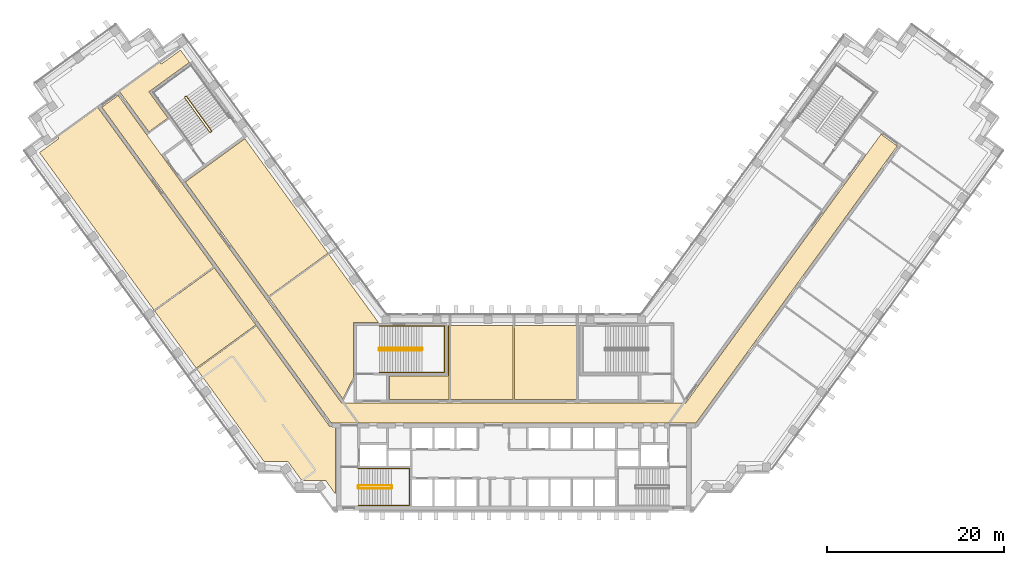
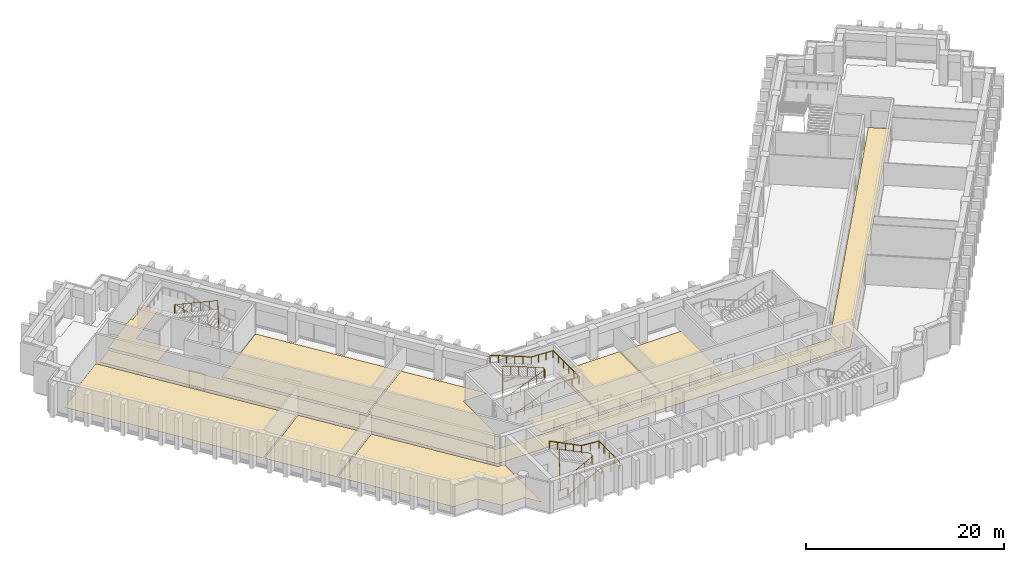
# One storey, part 11 of 13: 10 coverings, 5 railings.
"""IFC4 building model written with IfcOpenShell, lengths in metres."""

from ifc_helpers import new_model, si_unit, direction, frame, origin, origin_2d, place, context, subcontext, project, spatial, polyline, circle, outline, extrude, material, layer, layer_set, type_object, element, save


model = new_model("IFC4")

# Units and contexts
model_context = context("Model", 3, precision=1e-05, world=origin(), true_north=direction((0.0, 1.0)))
body_context = subcontext(model_context, "Body", "Model", "MODEL_VIEW")
ifc_project = project(units=[si_unit("LENGTHUNIT", "METRE"), si_unit("AREAUNIT", "SQUARE_METRE"), si_unit("VOLUMEUNIT", "CUBIC_METRE"), si_unit("PLANEANGLEUNIT", "RADIAN"), si_unit("MASSUNIT", "GRAM", prefix="KILO")], contexts=[model_context])

# Site, building, storey
site_placement = place(None, origin())
site = spatial("IfcSite", under=ifc_project, at=site_placement, CompositionType="ELEMENT")
building_placement = place(site_placement, origin())
building = spatial("IfcBuilding", under=site, at=building_placement, Name="Quipu Civic Tower", CompositionType="ELEMENT")
storey_placement = place(building_placement, frame((0.0, 0.0, 67.0)))
storey = spatial("IfcBuildingStorey", under=building, at=storey_placement, Name="L15", CompositionType="ELEMENT", Elevation=67.0)

# Coverings
ifc_material_1 = material(Name="Carpet tile on raised access floor")
ifc_layer_1 = layer(ifc_material_1, 0.02001953125)
ifc_layer_set_1 = layer_set([ifc_layer_1], Name="Carpet tile on raised access floor")
covering_type_1 = type_object("IfcCoveringType", Name="Carpet tile floor finish 20", PredefinedType="FLOORING", material=ifc_layer_set_1)
covering_1_placement = place(storey_placement, origin())
element("IfcCovering", 1, at=covering_1_placement, inside=storey, type_object=covering_type_1, Name="Carpet tile floor finish 20", PredefinedType="FLOORING", context=body_context, shape_type="SweptSolid", body=[
    extrude(outline(polyline([(0.070068359375, 9.830078125), (7.1279296875, 9.830078125), (7.1279296875, 1.52001953125), (0.070068359375, 1.52001953125), (0.070068359375, 9.830078125)])), origin(), (0.0, 0.0, 1.0), 0.02001953125),
])
covering_2_placement = place(storey_placement, origin())
element("IfcCovering", 2, at=covering_2_placement, inside=storey, type_object=covering_type_1, Name="Carpet tile floor finish 20", PredefinedType="FLOORING", context=body_context, shape_type="SweptSolid", body=[
    extrude(outline(polyline([(-44.445068359375, 36.23193359375), (-39.906005859375, 39.530029296875), (-39.757080078125, 39.327880859375), (-37.573974609375, 40.9130859375), (-36.570068359375, 39.530029296875), (-41.139892578125, 36.208984375), (-38.998046875, 33.260009765625), (-41.15087890625, 31.697021484375), (-44.445068359375, 36.23193359375)])), origin(), (0.0, 0.0, 1.0), 0.02001953125),
])
covering_3_placement = place(storey_placement, origin())
element("IfcCovering", 3, at=covering_3_placement, inside=storey, type_object=covering_type_1, Name="Carpet tile floor finish 20", PredefinedType="FLOORING", context=body_context, shape_type="SweptSolid", body=[
    extrude(outline(polyline([(-27.577880859375, 13.01708984375), (-20.85498046875, 17.90087890625), (-15.238037109375, 10.169921875), (-18.070068359375, 10.1689453125), (-18.070068359375, 3.94189453125), (-19.27197265625, 1.583984375), (-27.577880859375, 13.01708984375)])), origin(), (0.0, 0.0, 1.0), 0.02001953125),
])
covering_4_placement = place(storey_placement, origin())
element("IfcCovering", 4, at=covering_4_placement, inside=storey, type_object=covering_type_1, Name="Carpet tile floor finish 20", PredefinedType="FLOORING", context=body_context, shape_type="SweptSolid", body=[
    extrude(outline(polyline([(-35.72607421875, 4.922119140625), (-29.0029296875, 9.805908203125), (-20.77490234375, -1.51904296875), (-20.070068359375, -1.52001953125), (-20.070068359375, -9.195068359375), (-21.196044921875, -7.64599609375), (-21.6630859375, -7.64599609375), (-21.666015625, -7.64404296875), (-21.669921875, -7.64111328125), (-21.675048828125, -7.639892578125), (-21.679931640625, -7.637939453125), (-21.68408203125, -7.636962890625), (-21.68896484375, -7.636962890625), (-21.694091796875, -7.635986328125), (-21.698974609375, -7.636962890625), (-21.7041015625, -7.637939453125), (-21.708984375, -7.638916015625), (-21.712890625, -7.64111328125), (-21.718017578125, -7.64306640625), (-21.721923828125, -7.64599609375), (-21.721923828125, -7.64599609375), (-23.89501953125, -7.64599609375), (-25.48193359375, -5.4619140625), (-28.181884765625, -5.4609375), (-35.72607421875, 4.922119140625)])), origin(), (0.0, 0.0, 1.0), 0.02001953125),
])
covering_5_placement = place(storey_placement, origin())
element("IfcCovering", 5, at=covering_5_placement, inside=storey, type_object=covering_type_1, Name="Carpet tile floor finish 20", PredefinedType="FLOORING", context=body_context, shape_type="SweptSolid", body=[
    extrude(outline(polyline([(-37.0380859375, 26.0380859375), (-30.31494140625, 30.922119140625), (-20.93798828125, 18.013916015625), (-27.660888671875, 13.1298828125), (-37.0380859375, 26.0380859375)])), origin(), (0.0, 0.0, 1.0), 0.02001953125),
])
covering_6_placement = place(storey_placement, origin())
element("IfcCovering", 6, at=covering_6_placement, inside=storey, type_object=covering_type_1, Name="Carpet tile floor finish 20", PredefinedType="FLOORING", context=body_context, shape_type="SweptSolid", body=[
    extrude(outline(polyline([(-53.47998046875, 29.35791015625), (-51.298095703125, 30.943115234375), (-51.443115234375, 31.14599609375), (-46.904052734375, 34.444091796875), (-33.846923828125, 16.471923828125), (-40.570068359375, 11.587890625), (-53.47998046875, 29.35791015625)])), origin(), (0.0, 0.0, 1.0), 0.02001953125),
])
covering_7_placement = place(storey_placement, origin())
element("IfcCovering", 7, at=covering_7_placement, inside=storey, type_object=covering_type_1, Name="Carpet tile floor finish 20", PredefinedType="FLOORING", context=body_context, shape_type="SweptSolid", body=[
    extrude(outline(polyline([(-7.1279296875, 9.830078125), (-0.070068359375, 9.830078125), (-0.070068359375, 1.52001953125), (-7.1279296875, 1.52001953125), (-7.1279296875, 9.830078125)])), origin(), (0.0, 0.0, 1.0), 0.02001953125),
])
ifc_material_2 = material(Name="Ceramic floor tile")
ifc_layer_2 = layer(ifc_material_2, 0.030029296875)
ifc_layer_set_2 = layer_set([ifc_layer_2], Name="Ceramic floor tile")
covering_type_2 = type_object("IfcCoveringType", Name="Ceramic tile floor finish 30", PredefinedType="FLOORING", material=ifc_layer_set_2)
covering_8_placement = place(storey_placement, origin())
element("IfcCovering", 8, at=covering_8_placement, inside=storey, type_object=covering_type_2, Name="Ceramic tile floor finish 30", PredefinedType="FLOORING", context=body_context, shape_type="SweptSolid", body=[
    extrude(outline(polyline([(-40.487060546875, 11.47509765625), (-33.763916015625, 16.35888671875), (-29.0859375, 9.9189453125), (-35.80908203125, 5.034912109375), (-40.487060546875, 11.47509765625)])), origin(), (0.0, 0.0, 1.0), 0.030029296875),
])
covering_9_placement = place(storey_placement, origin())
element("IfcCovering", 9, at=covering_9_placement, inside=storey, type_object=covering_type_2, Name="Ceramic tile floor finish 30", PredefinedType="FLOORING", context=body_context, shape_type="SweptSolid", body=[
    extrude(outline(polyline([(-14.030029296875, 1.52001953125), (-14.030029296875, 4.179931640625), (-7.429931640625, 4.180908203125), (-7.429931640625, 9.830078125), (-7.26806640625, 9.830078125), (-7.26806640625, 1.52001953125), (-14.030029296875, 1.52001953125)])), origin(), (0.0, 0.0, 1.0), 0.030029296875),
])

# Railings
ifc_material_3 = material(Name="Stainless steel", Category="steel")
railing_type_1 = type_object("IfcRailingType", Name="Stair guard 1100", PredefinedType="GUARDRAIL", material=ifc_material_3)
railing_1_placement = place(storey_placement, frame((-17.5, -8.550048828125, 0.15380859375)))
element("IfcRailing", 10, at=railing_1_placement, inside=storey, type_object=railing_type_1, Name="Stair 1 guard", PredefinedType="GUARDRAIL", context=body_context, shape_type="SweptSolid", body=[
    extrude(circle(Radius=0.02392578125, at=origin_2d()), frame((0.0, 0.0, 1.076171875), z_axis=(0.895751851347, 0.0, 0.444554407028), x_axis=(0.0, 1.0, 0.0)), (0.0, 0.0, 1.0), 4.15283203125),
    extrude(circle(Radius=0.02392578125, at=origin_2d()), frame((3.719970703125, 0.0, 2.92236328125), z_axis=(0.707106781187, 0.707106781187, 0.0), x_axis=(-0.707106781187, 0.707106781187, 0.0)), (0.0, 0.0, 1.0), 0.07080078125),
    extrude(circle(Radius=0.02392578125, at=origin_2d()), frame((3.77001953125, 0.050048828125, 2.92236328125), z_axis=(0.0, 1.0, 0.0), x_axis=(-1.0, 0.0, 0.0)), (0.0, 0.0, 1.0), 0.25),
    extrude(circle(Radius=0.02392578125, at=origin_2d()), frame((3.77001953125, 0.300048828125, 2.92236328125), z_axis=(-0.295599637079, 0.295599637079, 0.908428152975), x_axis=(-0.707106781187, -0.707106781187, 0.0)), (0.0, 0.0, 1.0), 0.16943359375),
    extrude(circle(Radius=0.02392578125, at=origin_2d()), frame((3.719970703125, 0.35009765625, 3.076171875), z_axis=(-0.895751851347, 0.0, 0.444554407028), x_axis=(0.0, -1.0, 0.0)), (0.0, 0.0, 1.0), 4.15283203125),
    extrude(circle(Radius=0.02392578125, at=origin_2d()), frame((0.0, 0.35009765625, 4.92236328125), z_axis=(-0.012476181752, -0.074796231092, -0.997120789425), x_axis=(0.986372223864, -0.164529134168, 0.0)), (0.0, 0.0, 1.0), 4.011474609375),
    extrude(circle(Radius=0.02392578125, at=origin_2d()), frame((-0.050048828125, 0.050048828125, 0.92236328125), z_axis=(0.0, 1.0, 0.0), x_axis=(-1.0, 0.0, 0.0)), (0.0, 0.0, 1.0), 0.25),
    extrude(circle(Radius=0.02099609375, at=origin_2d()), origin(), (0.0, 0.0, 1.0), 1.052001953125),
    extrude(circle(Radius=0.02099609375, at=origin_2d()), frame((0.929931640625, 0.0, 0.46142578125)), (0.0, 0.0, 1.0), 1.052001953125),
    extrude(circle(Radius=0.02099609375, at=origin_2d()), frame((1.85986328125, 0.0, 0.923095703125)), (0.0, 0.0, 1.0), 1.052001953125),
    extrude(circle(Radius=0.02099609375, at=origin_2d()), frame((2.7900390625, 0.0, 1.384765625)), (0.0, 0.0, 1.0), 1.052001953125),
    extrude(circle(Radius=0.02099609375, at=origin_2d()), frame((3.719970703125, 0.0, 1.84619140625)), (0.0, 0.0, 1.0), 1.052001953125),
    extrude(circle(Radius=0.02099609375, at=origin_2d()), frame((3.77001953125, 0.050048828125, 1.84619140625)), (0.0, 0.0, 1.0), 1.052001953125),
    extrude(circle(Radius=0.02099609375, at=origin_2d()), frame((3.77001953125, 0.300048828125, 1.84619140625)), (0.0, 0.0, 1.0), 1.052001953125),
    extrude(circle(Radius=0.02099609375, at=origin_2d()), frame((3.719970703125, 0.35009765625, 2.0)), (0.0, 0.0, 1.0), 1.052001953125),
    extrude(circle(Radius=0.02099609375, at=origin_2d()), frame((2.7900390625, 0.35009765625, 2.46142578125)), (0.0, 0.0, 1.0), 1.052001953125),
    extrude(circle(Radius=0.02099609375, at=origin_2d()), frame((1.85986328125, 0.35009765625, 2.923095703125)), (0.0, 0.0, 1.0), 1.052001953125),
    extrude(circle(Radius=0.02099609375, at=origin_2d()), frame((0.929931640625, 0.35009765625, 3.384765625)), (0.0, 0.0, 1.0), 1.052001953125),
    extrude(circle(Radius=0.02099609375, at=origin_2d()), frame((0.0, 0.35009765625, 3.84619140625)), (0.0, 0.0, 1.0), 1.052001953125),
    extrude(circle(Radius=0.02099609375, at=origin_2d()), frame((-0.012451171875, 0.275146484375, 2.84619140625)), (0.0, 0.0, 1.0), 1.052001953125),
    extrude(circle(Radius=0.02099609375, at=origin_2d()), frame((-0.02490234375, 0.2001953125, 1.84619140625)), (0.0, 0.0, 1.0), 1.052001953125),
    extrude(circle(Radius=0.02099609375, at=origin_2d()), frame((-0.03759765625, 0.125, 0.84619140625)), (0.0, 0.0, 1.0), 1.052001953125),
    extrude(circle(Radius=0.02099609375, at=origin_2d()), frame((-0.050048828125, 0.050048828125, -0.15380859375)), (0.0, 0.0, 1.0), 1.052001953125),
    extrude(circle(Radius=0.02099609375, at=origin_2d()), frame((-0.050048828125, 0.300048828125, -0.15380859375)), (0.0, 0.0, 1.0), 1.052001953125),
])
railing_2_placement = place(storey_placement, frame((-15.14990234375, 7.050048828125, 0.11767578125)))
element("IfcRailing", 11, at=railing_2_placement, inside=storey, type_object=railing_type_1, Name="Stair 3 guard", PredefinedType="GUARDRAIL", context=body_context, shape_type="SweptSolid", body=[
    extrude(circle(Radius=0.02392578125, at=origin_2d()), frame((0.0, 0.0, 1.076171875), z_axis=(0.930970042603, 0.0, 0.365095576219), x_axis=(0.0, 1.0, 0.0)), (0.0, 0.0, 1.0), 5.15576171875),
    extrude(circle(Radius=0.02392578125, at=origin_2d()), frame((4.7998046875, 0.0, 2.95849609375), z_axis=(0.707106781187, 0.707106781187, 0.0), x_axis=(-0.707106781187, 0.707106781187, 0.0)), (0.0, 0.0, 1.0), 0.07080078125),
    extrude(circle(Radius=0.02392578125, at=origin_2d()), frame((4.849853515625, 0.050048828125, 2.95849609375), z_axis=(0.0, 1.0, 0.0), x_axis=(-1.0, 0.0, 0.0)), (0.0, 0.0, 1.0), 0.14990234375),
    extrude(circle(Radius=0.02392578125, at=origin_2d()), frame((4.849853515625, 0.199951171875, 2.95849609375), z_axis=(-0.364463019033, 0.364463019033, 0.856932561824), x_axis=(-0.707106781187, -0.707106781187, 0.0)), (0.0, 0.0, 1.0), 0.13720703125),
    extrude(circle(Radius=0.02392578125, at=origin_2d()), frame((4.7998046875, 0.25, 3.076171875), z_axis=(-0.930970042603, 0.0, 0.365095576219), x_axis=(0.0, -1.0, 0.0)), (0.0, 0.0, 1.0), 5.15576171875),
    extrude(circle(Radius=0.02392578125, at=origin_2d()), frame((0.0, 0.25, 4.95849609375), z_axis=(-0.012495627992, -0.049921557685, -0.998674970829), x_axis=(0.970072785993, -0.242814311512, 0.0)), (0.0, 0.0, 1.0), 4.00537109375),
    extrude(circle(Radius=0.02392578125, at=origin_2d()), frame((-0.050048828125, 0.050048828125, 0.95849609375), z_axis=(0.0, 1.0, 0.0), x_axis=(-1.0, 0.0, 0.0)), (0.0, 0.0, 1.0), 0.14990234375),
    extrude(circle(Radius=0.02099609375, at=origin_2d()), origin(), (0.0, 0.0, 1.0), 1.052001953125),
    extrude(circle(Radius=0.02099609375, at=origin_2d()), frame((0.9599609375, 0.0, 0.37646484375)), (0.0, 0.0, 1.0), 1.052001953125),
    extrude(circle(Radius=0.02099609375, at=origin_2d()), frame((1.919921875, 0.0, 0.7529296875)), (0.0, 0.0, 1.0), 1.052001953125),
    extrude(circle(Radius=0.02099609375, at=origin_2d()), frame((2.8798828125, 0.0, 1.12939453125)), (0.0, 0.0, 1.0), 1.052001953125),
    extrude(circle(Radius=0.02099609375, at=origin_2d()), frame((3.83984375, 0.0, 1.505859375)), (0.0, 0.0, 1.0), 1.052001953125),
    extrude(circle(Radius=0.02099609375, at=origin_2d()), frame((4.7998046875, 0.0, 1.88232421875)), (0.0, 0.0, 1.0), 1.052001953125),
    extrude(circle(Radius=0.02099609375, at=origin_2d()), frame((4.849853515625, 0.050048828125, 1.88232421875)), (0.0, 0.0, 1.0), 1.052001953125),
    extrude(circle(Radius=0.02099609375, at=origin_2d()), frame((4.849853515625, 0.199951171875, 1.88232421875)), (0.0, 0.0, 1.0), 1.052001953125),
    extrude(circle(Radius=0.02099609375, at=origin_2d()), frame((4.7998046875, 0.25, 2.0)), (0.0, 0.0, 1.0), 1.052001953125),
    extrude(circle(Radius=0.02099609375, at=origin_2d()), frame((3.83984375, 0.25, 2.37646484375)), (0.0, 0.0, 1.0), 1.052001953125),
    extrude(circle(Radius=0.02099609375, at=origin_2d()), frame((2.8798828125, 0.25, 2.7529296875)), (0.0, 0.0, 1.0), 1.052001953125),
    extrude(circle(Radius=0.02099609375, at=origin_2d()), frame((1.919921875, 0.25, 3.12939453125)), (0.0, 0.0, 1.0), 1.052001953125),
    extrude(circle(Radius=0.02099609375, at=origin_2d()), frame((0.9599609375, 0.25, 3.505859375)), (0.0, 0.0, 1.0), 1.052001953125),
    extrude(circle(Radius=0.02099609375, at=origin_2d()), frame((0.0, 0.25, 3.88232421875)), (0.0, 0.0, 1.0), 1.052001953125),
    extrude(circle(Radius=0.02099609375, at=origin_2d()), frame((-0.012451171875, 0.199951171875, 2.88232421875)), (0.0, 0.0, 1.0), 1.052001953125),
    extrude(circle(Radius=0.02099609375, at=origin_2d()), frame((-0.02490234375, 0.14990234375, 1.88232421875)), (0.0, 0.0, 1.0), 1.052001953125),
    extrude(circle(Radius=0.02099609375, at=origin_2d()), frame((-0.03759765625, 0.10009765625, 0.88232421875)), (0.0, 0.0, 1.0), 1.052001953125),
    extrude(circle(Radius=0.02099609375, at=origin_2d()), frame((-0.050048828125, 0.050048828125, -0.11767578125)), (0.0, 0.0, 1.0), 1.052001953125),
    extrude(circle(Radius=0.02099609375, at=origin_2d()), frame((-0.050048828125, 0.199951171875, -0.11767578125)), (0.0, 0.0, 1.0), 1.052001953125),
])
railing_3_placement = place(storey_placement, frame((-34.078857421875, 31.79736328125, 0.11767578125)))
element("IfcRailing", 12, at=railing_3_placement, inside=storey, type_object=railing_type_1, Name="Stair 6 guard", PredefinedType="GUARDRAIL", context=body_context, shape_type="SweptSolid", body=[
    extrude(circle(Radius=0.02392578125, at=origin_2d()), frame((0.0, 0.0, 1.076171875), z_axis=(-0.54720100349, 0.753182689643, 0.365084781664), x_axis=(-0.809026317077, -0.587772420479, 0.0)), (0.0, 0.0, 1.0), 5.15576171875),
    extrude(circle(Radius=0.02392578125, at=origin_2d()), frame((-2.8212890625, 3.88330078125, 2.95849609375), z_axis=(-0.987846838465, 0.155430446612, 0.0), x_axis=(-0.155430446612, -0.987846838465, 0.0)), (0.0, 0.0, 1.0), 0.07080078125),
    extrude(circle(Radius=0.02392578125, at=origin_2d()), frame((-2.89111328125, 3.894287109375, 2.95849609375), z_axis=(-0.809649071907, -0.586914287065, 0.0), x_axis=(0.586914287065, -0.809649071907, 0.0)), (0.0, 0.0, 1.0), 0.150146484375),
    extrude(circle(Radius=0.02392578125, at=origin_2d()), frame((-3.0126953125, 3.80615234375, 2.95849609375), z_axis=(-0.080033047627, -0.508654480474, 0.857242865693), x_axis=(0.987846838465, -0.155430446612, 0.0)), (0.0, 0.0, 1.0), 0.13720703125),
    extrude(circle(Radius=0.02392578125, at=origin_2d()), frame((-3.023681640625, 3.736328125, 3.076171875), z_axis=(0.54720100349, -0.753182689643, 0.365084781664), x_axis=(0.809026317077, 0.587772420479, 0.0)), (0.0, 0.0, 1.0), 5.15576171875),
    extrude(circle(Radius=0.02392578125, at=origin_2d()), frame((-0.202392578125, -0.14697265625, 4.95849609375), z_axis=(0.047788004556, 0.019261491632, -0.998671768681), x_axis=(-0.373837031195, 0.92749440651, 0.0)), (0.0, 0.0, 1.0), 4.00537109375),
    extrude(circle(Radius=0.02392578125, at=origin_2d()), frame((-0.010986328125, -0.06982421875, 0.95849609375), z_axis=(-0.809087927272, -0.587687609145, 0.0), x_axis=(0.587687609145, -0.809087927272, 0.0)), (0.0, 0.0, 1.0), 0.14990234375),
    extrude(circle(Radius=0.02099609375, at=origin_2d()), origin(), (0.0, 0.0, 1.0), 1.052001953125),
    extrude(circle(Radius=0.02099609375, at=origin_2d()), frame((-0.564208984375, 0.776611328125, 0.37646484375)), (0.0, 0.0, 1.0), 1.052001953125),
    extrude(circle(Radius=0.02099609375, at=origin_2d()), frame((-1.12841796875, 1.55322265625, 0.7529296875)), (0.0, 0.0, 1.0), 1.052001953125),
    extrude(circle(Radius=0.02099609375, at=origin_2d()), frame((-1.69287109375, 2.330078125, 1.12939453125)), (0.0, 0.0, 1.0), 1.052001953125),
    extrude(circle(Radius=0.02099609375, at=origin_2d()), frame((-2.257080078125, 3.106689453125, 1.505859375)), (0.0, 0.0, 1.0), 1.052001953125),
    extrude(circle(Radius=0.02099609375, at=origin_2d()), frame((-2.8212890625, 3.88330078125, 1.88232421875)), (0.0, 0.0, 1.0), 1.052001953125),
    extrude(circle(Radius=0.02099609375, at=origin_2d()), frame((-2.89111328125, 3.894287109375, 1.88232421875)), (0.0, 0.0, 1.0), 1.052001953125),
    extrude(circle(Radius=0.02099609375, at=origin_2d()), frame((-3.0126953125, 3.80615234375, 1.88232421875)), (0.0, 0.0, 1.0), 1.052001953125),
    extrude(circle(Radius=0.02099609375, at=origin_2d()), frame((-3.023681640625, 3.736328125, 2.0)), (0.0, 0.0, 1.0), 1.052001953125),
    extrude(circle(Radius=0.02099609375, at=origin_2d()), frame((-2.45947265625, 2.959716796875, 2.37646484375)), (0.0, 0.0, 1.0), 1.052001953125),
    extrude(circle(Radius=0.02099609375, at=origin_2d()), frame((-1.895263671875, 2.18310546875, 2.7529296875)), (0.0, 0.0, 1.0), 1.052001953125),
    extrude(circle(Radius=0.02099609375, at=origin_2d()), frame((-1.330810546875, 1.40625, 3.12939453125)), (0.0, 0.0, 1.0), 1.052001953125),
    extrude(circle(Radius=0.02099609375, at=origin_2d()), frame((-0.7666015625, 0.629638671875, 3.505859375)), (0.0, 0.0, 1.0), 1.052001953125),
    extrude(circle(Radius=0.02099609375, at=origin_2d()), frame((-0.202392578125, -0.14697265625, 3.88232421875)), (0.0, 0.0, 1.0), 1.052001953125),
    extrude(circle(Radius=0.02099609375, at=origin_2d()), frame((-0.154541015625, -0.127685546875, 2.88232421875)), (0.0, 0.0, 1.0), 1.052001953125),
    extrude(circle(Radius=0.02099609375, at=origin_2d()), frame((-0.106689453125, -0.1083984375, 1.88232421875)), (0.0, 0.0, 1.0), 1.052001953125),
    extrude(circle(Radius=0.02099609375, at=origin_2d()), frame((-0.058837890625, -0.089111328125, 0.88232421875)), (0.0, 0.0, 1.0), 1.052001953125),
    extrude(circle(Radius=0.02099609375, at=origin_2d()), frame((-0.010986328125, -0.06982421875, -0.11767578125)), (0.0, 0.0, 1.0), 1.052001953125),
    extrude(circle(Radius=0.02099609375, at=origin_2d()), frame((-0.13232421875, -0.157958984375, -0.11767578125)), (0.0, 0.0, 1.0), 1.052001953125),
])
ifc_material_4 = material(Name="Stainless steel", Category="steel")
railing_type_2 = type_object("IfcRailingType", Name="Stair handrail", PredefinedType="HANDRAIL", material=ifc_material_4)
railing_4_placement = place(storey_placement, frame((-17.5, -10.449951171875, 0.15380859375)))
element("IfcRailing", 13, at=railing_4_placement, inside=storey, type_object=railing_type_2, Name="Stair 1 handrail", PredefinedType="HANDRAIL", context=body_context, shape_type="SweptSolid", body=[
    extrude(circle(Radius=0.02392578125, at=origin_2d()), frame((0.0, 0.0, 0.8759765625), z_axis=(0.895751851347, 0.0, 0.444554407028), x_axis=(0.0, 1.0, 0.0)), (0.0, 0.0, 1.0), 4.15283203125),
    extrude(circle(Radius=0.02392578125, at=origin_2d()), frame((3.719970703125, 0.0, 2.72216796875), z_axis=(1.0, 0.0, 0.0), x_axis=(0.0, 1.0, 0.0)), (0.0, 0.0, 1.0), 2.030029296875),
    extrude(circle(Radius=0.02392578125, at=origin_2d()), frame((5.75, 0.0, 2.72216796875), z_axis=(0.0, 1.0, 0.0), x_axis=(-1.0, 0.0, 0.0)), (0.0, 0.0, 1.0), 4.14990234375),
    extrude(circle(Radius=0.02392578125, at=origin_2d()), frame((5.75, 4.14990234375, 2.72216796875), z_axis=(-0.997142003663, 0.0, 0.075550145798), x_axis=(0.0, -1.0, 0.0)), (0.0, 0.0, 1.0), 2.035888671875),
    extrude(circle(Radius=0.02392578125, at=origin_2d()), frame((3.719970703125, 4.14990234375, 2.8759765625), z_axis=(-0.895751851347, 0.0, 0.444554407028), x_axis=(0.0, -1.0, 0.0)), (0.0, 0.0, 1.0), 4.15283203125),
    extrude(circle(Radius=0.02099609375, at=origin_2d()), origin(), (0.0, 0.0, 1.0), 0.851806640625),
    extrude(circle(Radius=0.02099609375, at=origin_2d()), frame((0.929931640625, 0.0, 0.46142578125)), (0.0, 0.0, 1.0), 0.851806640625),
    extrude(circle(Radius=0.02099609375, at=origin_2d()), frame((1.85986328125, 0.0, 0.923095703125)), (0.0, 0.0, 1.0), 0.851806640625),
    extrude(circle(Radius=0.02099609375, at=origin_2d()), frame((2.7900390625, 0.0, 1.384765625)), (0.0, 0.0, 1.0), 0.851806640625),
    extrude(circle(Radius=0.02099609375, at=origin_2d()), frame((3.719970703125, 0.0, 1.84619140625)), (0.0, 0.0, 1.0), 0.851806640625),
    extrude(circle(Radius=0.02099609375, at=origin_2d()), frame((4.73486328125, 0.0, 1.84619140625)), (0.0, 0.0, 1.0), 0.851806640625),
    extrude(circle(Radius=0.02099609375, at=origin_2d()), frame((5.75, 0.0, 1.84619140625)), (0.0, 0.0, 1.0), 0.851806640625),
    extrude(circle(Radius=0.02099609375, at=origin_2d()), frame((5.75, 1.03759765625, 1.84619140625)), (0.0, 0.0, 1.0), 0.851806640625),
    extrude(circle(Radius=0.02099609375, at=origin_2d()), frame((5.75, 2.074951171875, 1.84619140625)), (0.0, 0.0, 1.0), 0.851806640625),
    extrude(circle(Radius=0.02099609375, at=origin_2d()), frame((5.75, 3.1123046875, 1.84619140625)), (0.0, 0.0, 1.0), 0.851806640625),
    extrude(circle(Radius=0.02099609375, at=origin_2d()), frame((5.75, 4.14990234375, 1.84619140625)), (0.0, 0.0, 1.0), 0.851806640625),
    extrude(circle(Radius=0.02099609375, at=origin_2d()), frame((4.73486328125, 4.14990234375, 1.923095703125)), (0.0, 0.0, 1.0), 0.851806640625),
    extrude(circle(Radius=0.02099609375, at=origin_2d()), frame((3.719970703125, 4.14990234375, 2.0)), (0.0, 0.0, 1.0), 0.851806640625),
    extrude(circle(Radius=0.02099609375, at=origin_2d()), frame((2.7900390625, 4.14990234375, 2.46142578125)), (0.0, 0.0, 1.0), 0.851806640625),
    extrude(circle(Radius=0.02099609375, at=origin_2d()), frame((1.85986328125, 4.14990234375, 2.923095703125)), (0.0, 0.0, 1.0), 0.851806640625),
    extrude(circle(Radius=0.02099609375, at=origin_2d()), frame((0.929931640625, 4.14990234375, 3.384765625)), (0.0, 0.0, 1.0), 0.851806640625),
    extrude(circle(Radius=0.02099609375, at=origin_2d()), frame((0.0, 4.14990234375, 3.84619140625)), (0.0, 0.0, 1.0), 0.851806640625),
])
railing_5_placement = place(storey_placement, frame((-15.14990234375, 4.550048828125, 0.11767578125)))
element("IfcRailing", 14, at=railing_5_placement, inside=storey, type_object=railing_type_2, Name="Stair 3 handrail", PredefinedType="HANDRAIL", context=body_context, shape_type="SweptSolid", body=[
    extrude(circle(Radius=0.02392578125, at=origin_2d()), frame((0.0, 0.0, 0.8759765625), z_axis=(0.930970042603, 0.0, 0.365095576219), x_axis=(0.0, 1.0, 0.0)), (0.0, 0.0, 1.0), 5.15576171875),
    extrude(circle(Radius=0.02392578125, at=origin_2d()), frame((4.7998046875, 0.0, 2.75830078125), z_axis=(1.0, 0.0, 0.0), x_axis=(0.0, 1.0, 0.0)), (0.0, 0.0, 1.0), 2.550048828125),
    extrude(circle(Radius=0.02392578125, at=origin_2d()), frame((7.349853515625, 0.0, 2.75830078125), z_axis=(0.0, 1.0, 0.0), x_axis=(-1.0, 0.0, 0.0)), (0.0, 0.0, 1.0), 5.25),
    extrude(circle(Radius=0.02392578125, at=origin_2d()), frame((7.349853515625, 5.25, 2.75830078125), z_axis=(-0.998936948642, 0.0, 0.04609742549), x_axis=(0.0, -1.0, 0.0)), (0.0, 0.0, 1.0), 2.552734375),
    extrude(circle(Radius=0.02392578125, at=origin_2d()), frame((4.7998046875, 5.25, 2.8759765625), z_axis=(-0.930970042603, 0.0, 0.365095576219), x_axis=(0.0, -1.0, 0.0)), (0.0, 0.0, 1.0), 5.15576171875),
    extrude(circle(Radius=0.02099609375, at=origin_2d()), origin(), (0.0, 0.0, 1.0), 0.851806640625),
    extrude(circle(Radius=0.02099609375, at=origin_2d()), frame((0.9599609375, 0.0, 0.37646484375)), (0.0, 0.0, 1.0), 0.851806640625),
    extrude(circle(Radius=0.02099609375, at=origin_2d()), frame((1.919921875, 0.0, 0.7529296875)), (0.0, 0.0, 1.0), 0.851806640625),
    extrude(circle(Radius=0.02099609375, at=origin_2d()), frame((2.8798828125, 0.0, 1.12939453125)), (0.0, 0.0, 1.0), 0.851806640625),
    extrude(circle(Radius=0.02099609375, at=origin_2d()), frame((3.83984375, 0.0, 1.505859375)), (0.0, 0.0, 1.0), 0.851806640625),
    extrude(circle(Radius=0.02099609375, at=origin_2d()), frame((4.7998046875, 0.0, 1.88232421875)), (0.0, 0.0, 1.0), 0.851806640625),
    extrude(circle(Radius=0.02099609375, at=origin_2d()), frame((5.64990234375, 0.0, 1.88232421875)), (0.0, 0.0, 1.0), 0.851806640625),
    extrude(circle(Radius=0.02099609375, at=origin_2d()), frame((6.499755859375, 0.0, 1.88232421875)), (0.0, 0.0, 1.0), 0.851806640625),
    extrude(circle(Radius=0.02099609375, at=origin_2d()), frame((7.349853515625, 0.0, 1.88232421875)), (0.0, 0.0, 1.0), 0.851806640625),
    extrude(circle(Radius=0.02099609375, at=origin_2d()), frame((7.349853515625, 1.050048828125, 1.88232421875)), (0.0, 0.0, 1.0), 0.851806640625),
    extrude(circle(Radius=0.02099609375, at=origin_2d()), frame((7.349853515625, 2.10009765625, 1.88232421875)), (0.0, 0.0, 1.0), 0.851806640625),
    extrude(circle(Radius=0.02099609375, at=origin_2d()), frame((7.349853515625, 3.14990234375, 1.88232421875)), (0.0, 0.0, 1.0), 0.851806640625),
    extrude(circle(Radius=0.02099609375, at=origin_2d()), frame((7.349853515625, 4.199951171875, 1.88232421875)), (0.0, 0.0, 1.0), 0.851806640625),
    extrude(circle(Radius=0.02099609375, at=origin_2d()), frame((7.349853515625, 5.25, 1.88232421875)), (0.0, 0.0, 1.0), 0.851806640625),
    extrude(circle(Radius=0.02099609375, at=origin_2d()), frame((6.499755859375, 5.25, 1.921630859375)), (0.0, 0.0, 1.0), 0.851806640625),
    extrude(circle(Radius=0.02099609375, at=origin_2d()), frame((5.64990234375, 5.25, 1.960693359375)), (0.0, 0.0, 1.0), 0.851806640625),
    extrude(circle(Radius=0.02099609375, at=origin_2d()), frame((4.7998046875, 5.25, 2.0)), (0.0, 0.0, 1.0), 0.851806640625),
    extrude(circle(Radius=0.02099609375, at=origin_2d()), frame((3.83984375, 5.25, 2.37646484375)), (0.0, 0.0, 1.0), 0.851806640625),
    extrude(circle(Radius=0.02099609375, at=origin_2d()), frame((2.8798828125, 5.25, 2.7529296875)), (0.0, 0.0, 1.0), 0.851806640625),
    extrude(circle(Radius=0.02099609375, at=origin_2d()), frame((1.919921875, 5.25, 3.12939453125)), (0.0, 0.0, 1.0), 0.851806640625),
    extrude(circle(Radius=0.02099609375, at=origin_2d()), frame((0.9599609375, 5.25, 3.505859375)), (0.0, 0.0, 1.0), 0.851806640625),
    extrude(circle(Radius=0.02099609375, at=origin_2d()), frame((0.0, 5.25, 3.88232421875)), (0.0, 0.0, 1.0), 0.851806640625),
])

# Covering
ifc_material_5 = material(Name="Terrazzo floor finish")
ifc_layer_3 = layer(ifc_material_5, 0.0400390625)
ifc_layer_set_3 = layer_set([ifc_layer_3], Name="Terrazzo floor finish")
covering_type_3 = type_object("IfcCoveringType", Name="Terrazzo floor finish 40", PredefinedType="FLOORING", material=ifc_layer_set_3)
covering_10_placement = place(storey_placement, origin())
element("IfcCovering", 15, at=covering_10_placement, inside=storey, type_object=covering_type_3, Name="Terrazzo floor finish 40", PredefinedType="FLOORING", context=body_context, shape_type="SweptSolid", body=[
    extrude(outline(polyline([(20.574951171875, -1.1298828125), (-20.574951171875, -1.1298828125), (-46.44091796875, 34.471923828125), (-44.613037109375, 35.800048828125), (-19.425048828125, 1.1298828125), (19.425048828125, 1.1298828125), (41.43896484375, 31.430908203125), (43.26708984375, 30.10302734375), (20.574951171875, -1.1298828125)])), origin(), (0.0, 0.0, 1.0), 0.0400390625),
])

save(model, "model.ifc")
